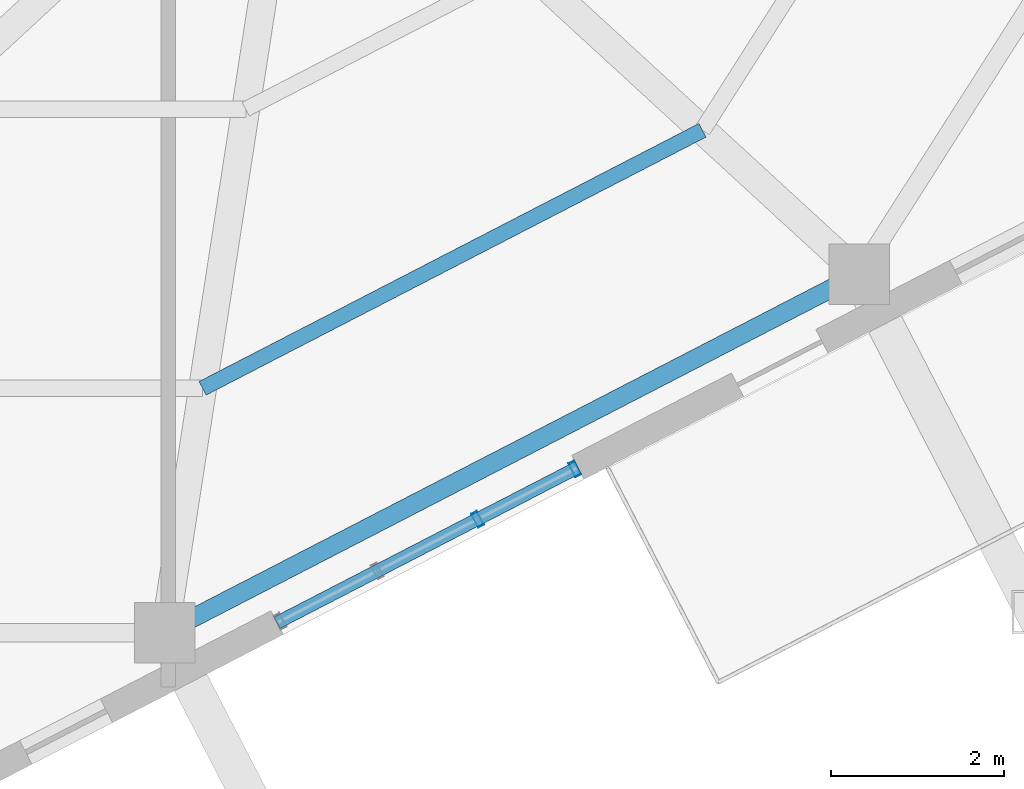
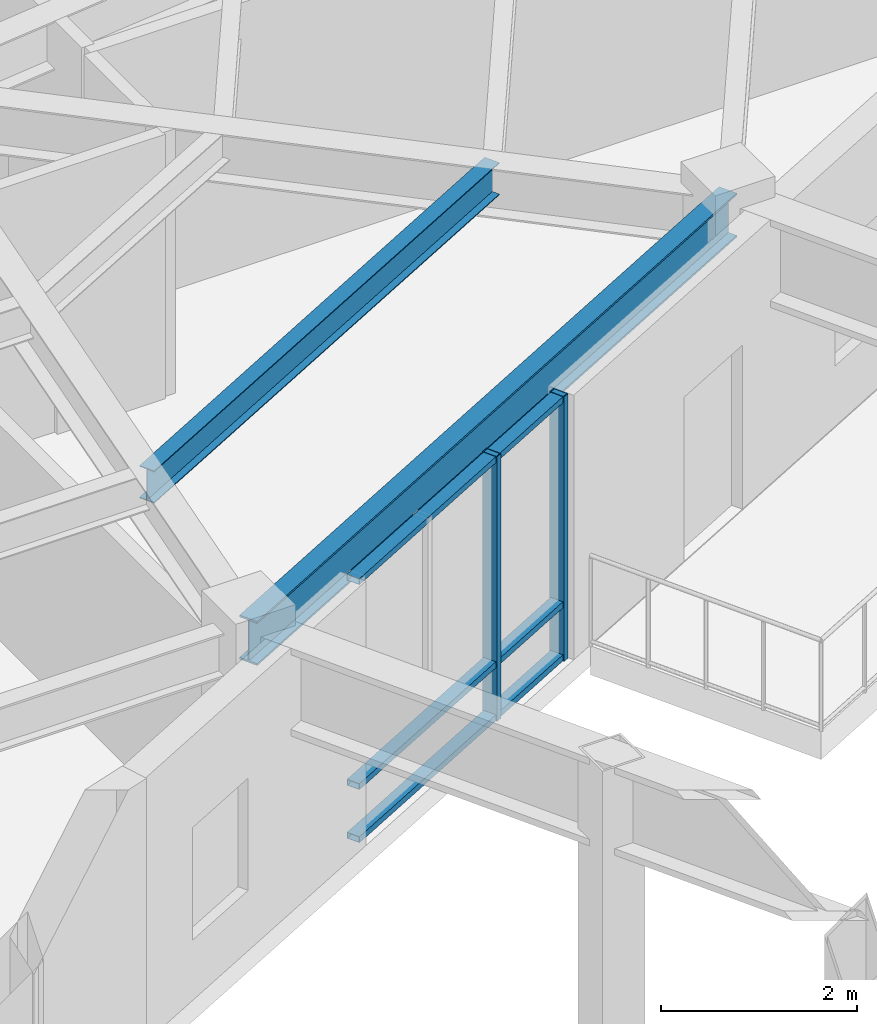
# One storey, part 3 of 10: 5 members, 2 beams, 1 element without a shape of its own.
"""IFC4 building model written with IfcOpenShell, lengths in metres."""

from ifc_helpers import new_model, si_unit, direction, frame, origin, origin_2d, place, context, subcontext, project, spatial, hollow_rectangle, i_section, extrude, material, layer, layer_set, material_profile, profile_set, type_object, element, aggregate, save


model = new_model("IFC4")

# Units and contexts
model_context = context("Model", 3, precision=1e-05, world=origin(), true_north=direction((0.0, 1.0)))
body_context = subcontext(model_context, "Body", "Model", "MODEL_VIEW")
ifc_project = project(units=[si_unit("LENGTHUNIT", "METRE"), si_unit("AREAUNIT", "SQUARE_METRE"), si_unit("VOLUMEUNIT", "CUBIC_METRE"), si_unit("PLANEANGLEUNIT", "RADIAN"), si_unit("MASSUNIT", "GRAM", prefix="KILO"), si_unit("THERMODYNAMICTEMPERATUREUNIT", "KELVIN"), si_unit("POWERUNIT", "WATT")], contexts=[model_context])

# Site, building, storey
site_placement = place(None, origin())
site = spatial("IfcSite", under=ifc_project, at=site_placement, CompositionType="ELEMENT")
building_placement = place(site_placement, origin())
building = spatial("IfcBuilding", under=site, at=building_placement, Name="Skarre Station Tower", CompositionType="ELEMENT")
storey_placement = place(building_placement, frame((0.0, 0.0, 227.699951171875)))
storey = spatial("IfcBuildingStorey", under=building, at=storey_placement, Name="L62", CompositionType="ELEMENT", Elevation=227.699951171875)

# Curtain wall, members
ifc_material_1 = material(Name="Thermally Broken Bronze-Anodized Aluminium & Triple Low-E Glass", Category="aluminium")
ifc_layer = layer(ifc_material_1, 0.18994140625, Name="Thermally Broken Bronze-Anodized Aluminium & Triple Low-E Glass")
ifc_layer_set = layer_set([ifc_layer], Name="Thermally Broken Bronze-Anodized Aluminium & Triple Low-E Glass")
curtain_wall_type = type_object("IfcCurtainWallType", Name="Sky-Garden Setback Conservatory Curtain Wall", PredefinedType="NOTDEFINED", material=ifc_layer_set)
curtain_wall_placement = place(storey_placement, origin())
curtain_wall = element("IfcCurtainWall", 1, at=curtain_wall_placement, inside=storey, type_object=curtain_wall_type, Name="L62 Facet 4 Conservatory Curtain Wall", PredefinedType="NOTDEFINED")
ifc_material_2 = material(Name="Anodized Aluminium 6063-T6", Category="aluminium")
ifc_material_profile_1 = material_profile(ifc_material_2, hollow_rectangle(XDim=0.074951171875, YDim=0.14990234375, WallThickness=0.00390625, at=origin_2d()), Name="Anodized Aluminium 6063-T6")
ifc_profile_set_1 = profile_set([ifc_material_profile_1], Name="Anodized Aluminium 6063-T6")
member_type_1 = type_object("IfcMemberType", Name="Curtain-Wall Secondary Transom 150x75", PredefinedType="USERDEFINED", material=ifc_profile_set_1)
member_1_placement = place(storey_placement, frame((42.6708984375, 10.465087890625, 0.0400390625), z_axis=(-0.888470771822, -0.458933206053, 0.0), x_axis=(0.0, 0.0, 1.0)))
member_1 = element("IfcMember", 2, at=member_1_placement, type_object=member_type_1, Name="L62 Facet 4 Conservatory Curtain Wall Transom 1", ObjectType="TRANSOM", PredefinedType="USERDEFINED", context=body_context, shape_type="SweptSolid", body=[
    extrude(hollow_rectangle(XDim=0.074951171875, YDim=0.14990234375, WallThickness=0.00390625, at=origin_2d()), origin(), (0.0, 0.0, 1.0), 3.920166015625),
])
member_2_placement = place(storey_placement, frame((42.6708984375, 10.465087890625, 0.699951171875), z_axis=(-0.888470771822, -0.458933206053, 0.0), x_axis=(0.0, 0.0, 1.0)))
member_2 = element("IfcMember", 3, at=member_2_placement, type_object=member_type_1, Name="L62 Facet 4 Conservatory Curtain Wall Transom 2", ObjectType="TRANSOM", PredefinedType="USERDEFINED", context=body_context, shape_type="SweptSolid", body=[
    extrude(hollow_rectangle(XDim=0.074951171875, YDim=0.14990234375, WallThickness=0.00390625, at=origin_2d()), origin(), (0.0, 0.0, 1.0), 3.920166015625),
])
member_3_placement = place(storey_placement, frame((42.6708984375, 10.465087890625, 3.25), z_axis=(-0.888470771822, -0.458933206053, 0.0), x_axis=(0.0, 0.0, 1.0)))
member_3 = element("IfcMember", 4, at=member_3_placement, type_object=member_type_1, Name="L62 Facet 4 Conservatory Curtain Wall Transom 3", ObjectType="TRANSOM", PredefinedType="USERDEFINED", context=body_context, shape_type="SweptSolid", body=[
    extrude(hollow_rectangle(XDim=0.074951171875, YDim=0.14990234375, WallThickness=0.00390625, at=origin_2d()), origin(), (0.0, 0.0, 1.0), 3.920166015625),
])
ifc_material_profile_2 = material_profile(ifc_material_2, hollow_rectangle(XDim=0.074951171875, YDim=0.179931640625, WallThickness=0.00390625, at=origin_2d()), Name="Anodized Aluminium 6063-T6")
ifc_profile_set_2 = profile_set([ifc_material_profile_2], Name="Anodized Aluminium 6063-T6")
member_type_2 = type_object("IfcMemberType", Name="Curtain-Wall Unitised Tower Mullion 180x75", PredefinedType="MULLION", material=ifc_profile_set_2)
member_4_placement = place(storey_placement, frame((42.635009765625, 10.447021484375, 0.0), z_axis=(0.0, 0.0, 1.0), x_axis=(-0.88848110948, -0.458913192332, 0.0)))
member_4 = element("IfcMember", 5, at=member_4_placement, type_object=member_type_2, Name="L62 Facet 4 Conservatory Curtain Wall Mullion 1", PredefinedType="MULLION", context=body_context, shape_type="SweptSolid", body=[
    extrude(hollow_rectangle(XDim=0.074951171875, YDim=0.179931640625, WallThickness=0.00390625, at=origin_2d()), origin(), (0.0, 0.0, 1.0), 3.2900390625),
])
member_5_placement = place(storey_placement, frame((41.510009765625, 9.864990234375, 0.0), z_axis=(0.0, 0.0, 1.0), x_axis=(-0.88848110948, -0.458913192332, 0.0)))
member_5 = element("IfcMember", 6, at=member_5_placement, type_object=member_type_2, Name="L62 Facet 4 Conservatory Curtain Wall Mullion 2", PredefinedType="MULLION", context=body_context, shape_type="SweptSolid", body=[
    extrude(hollow_rectangle(XDim=0.074951171875, YDim=0.179931640625, WallThickness=0.00390625, at=origin_2d()), origin(), (0.0, 0.0, 1.0), 3.2900390625),
])
aggregate(curtain_wall, [member_4, member_5, member_1, member_2, member_3])

# Beams
ifc_material_3 = material(Name="Steel ASTM A992 Grade 50", Category="steel")
ifc_material_profile_3 = material_profile(ifc_material_3, i_section(OverallWidth=0.177978515625, OverallDepth=0.403076171875, WebThickness=0.008056640625, FlangeThickness=0.010986328125, at=origin_2d()), Name="Steel ASTM A992 Grade 50")
ifc_profile_set_3 = profile_set([ifc_material_profile_3], Name="Steel ASTM A992 Grade 50")
beam_type_1 = type_object("IfcBeamType", Name="Steel Joist W16X36", PredefinedType="JOIST", material=ifc_profile_set_3)
beam_1_placement = place(storey_placement, frame((38.325927734375, 11.3798828125, 3.088134765625), z_axis=(0.888610306875, 0.458662972689, 0.0), x_axis=(-0.458662972689, 0.888610306875, 0.0)))
element("IfcBeam", 7, at=beam_1_placement, inside=storey, type_object=beam_type_1, Name="L62 Auxiliary Composite Joist 12", PredefinedType="JOIST", context=body_context, shape_type="SweptSolid", body=[
    extrude(i_section(OverallWidth=0.177978515625, OverallDepth=0.403076171875, WebThickness=0.008056640625, FlangeThickness=0.010986328125, at=origin_2d()), origin(), (0.0, 0.0, 1.0), 6.512451171875),
])
ifc_material_profile_4 = material_profile(ifc_material_3, i_section(OverallWidth=0.214111328125, OverallDepth=0.549072265625, WebThickness=0.014892578125, FlangeThickness=0.02392578125, at=origin_2d()), Name="Steel ASTM A992 Grade 50")
ifc_profile_set_4 = profile_set([ifc_material_profile_4], Name="Steel ASTM A992 Grade 50")
beam_type_2 = type_object("IfcBeamType", Name="Steel Spandrel W21X93", PredefinedType="SPANDREL", material=ifc_profile_set_4)
beam_2_placement = place(storey_placement, frame((37.888916015625, 8.552978515625, 3.01611328125), z_axis=(0.888610011727, 0.458663544505, 0.0), x_axis=(-0.458663544505, 0.888610011727, 0.0)))
element("IfcBeam", 8, at=beam_2_placement, inside=storey, type_object=beam_type_2, Name="L62 Facet Spandrel Beam 9", PredefinedType="SPANDREL", context=body_context, shape_type="SweptSolid", body=[
    extrude(i_section(OverallWidth=0.214111328125, OverallDepth=0.549072265625, WebThickness=0.014892578125, FlangeThickness=0.02392578125, at=origin_2d()), origin(), (0.0, 0.0, 1.0), 9.045654296875),
])

save(model, "model.ifc")
